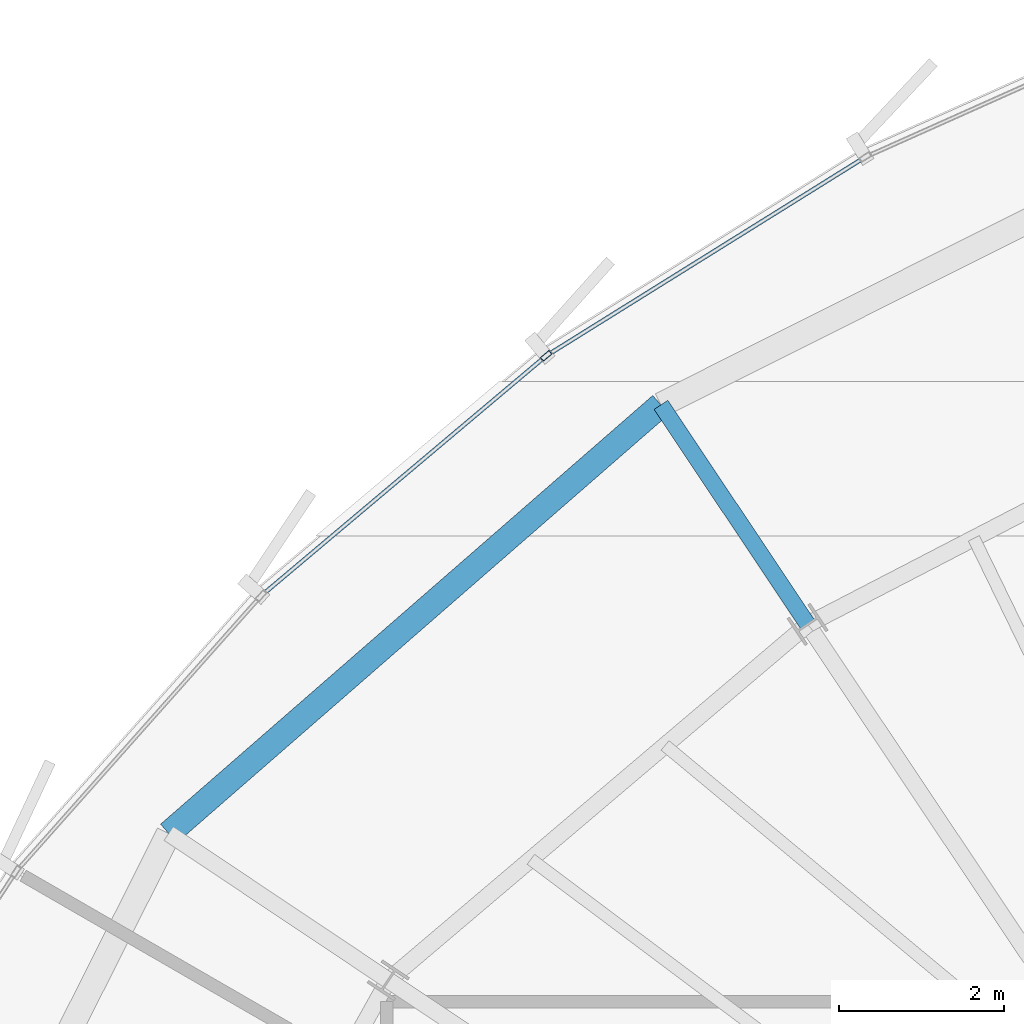
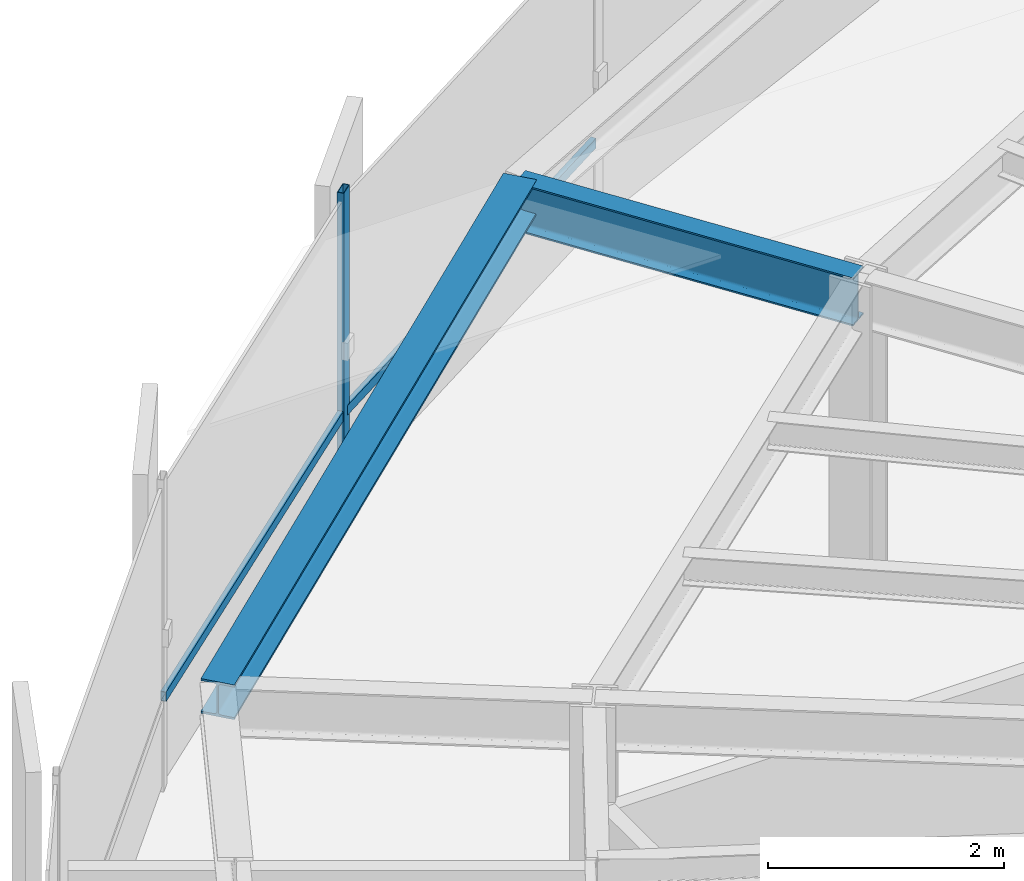
# One storey, part 21 of 35: 3 members, 2 beams, 1 element without a shape of its own.
"""IFC4 building model written with IfcOpenShell, lengths in metres."""

from ifc_helpers import new_model, si_unit, direction, frame, origin, origin_2d, place, context, subcontext, project, spatial, hollow_rectangle, i_section, extrude, source, transform, mapped, material, layer, layer_set, material_profile, profile_set, type_object, element, aggregate, save


model = new_model("IFC4")

# Units and contexts
model_context = context("Model", 3, precision=1e-05, world=origin(), true_north=direction((0.0, 1.0)))
body_context = subcontext(model_context, "Body", "Model", "MODEL_VIEW")
ifc_project = project(units=[si_unit("LENGTHUNIT", "METRE"), si_unit("AREAUNIT", "SQUARE_METRE"), si_unit("VOLUMEUNIT", "CUBIC_METRE"), si_unit("PLANEANGLEUNIT", "RADIAN"), si_unit("MASSUNIT", "GRAM", prefix="KILO"), si_unit("THERMODYNAMICTEMPERATUREUNIT", "KELVIN")], contexts=[model_context])

# Site, building, storey
site_placement = place(None, origin())
site = spatial("IfcSite", under=ifc_project, at=site_placement, CompositionType="ELEMENT")
building_placement = place(site_placement, origin())
building = spatial("IfcBuilding", under=site, at=building_placement, Name="Kethvar Cultural Tower", CompositionType="ELEMENT")
storey_placement = place(building_placement, frame((0.0, 0.0, 179.89990234375)))
storey = spatial("IfcBuildingStorey", under=building, at=storey_placement, Name="L46", CompositionType="ELEMENT", Elevation=179.89990234375)

# Beams
ifc_material_1 = material(Name="Steel S355J2", Category="steel")
ifc_material_profile_1 = material_profile(ifc_material_1, i_section(OverallWidth=0.199951171875, OverallDepth=0.5, WebThickness=0.01025390625, FlangeThickness=0.01611328125, FilletRadius=0.02099609375, at=origin_2d()), Name="Steel S355J2 — IPE500")
ifc_profile_set_1 = profile_set([ifc_material_profile_1], Name="Steel S355J2 — IPE500")
beam_type_1 = type_object("IfcBeamType", Name="BM-IPE500", PredefinedType="BEAM", material=ifc_profile_set_1)
shared_shape_1 = source(origin(), body_context, "Body", "SweptSolid", [
    extrude(i_section(OverallWidth=0.199951171875, OverallDepth=0.5, WebThickness=0.01025390625, FlangeThickness=0.01611328125, FilletRadius=0.02099609375, at=origin_2d()), origin(), (0.0, 0.0, 1.0), 3.199951171875),
])
beam_1_placement = place(storey_placement, frame((37.498779296875, 41.720458984375, 3.008056640625), z_axis=(-0.555580212716, 0.831462943996, 0.0), x_axis=(-0.831462943996, -0.555580212716, 0.0)))
element("IfcBeam", 1, at=beam_1_placement, inside=storey, type_object=beam_type_1, Name="L46 Perimeter Cantilever Beam RC-06", PredefinedType="BEAM", context=body_context, shape_type="MappedRepresentation", body=[
    mapped(shared_shape_1, transform((0.0, 0.0, 0.0), scale=1.0)),
])
ifc_material_profile_2 = material_profile(ifc_material_1, i_section(OverallWidth=0.300048828125, OverallDepth=0.360107421875, WebThickness=0.012451171875, FlangeThickness=0.0224609375, FilletRadius=0.027099609375, at=origin_2d()), Name="Steel S355J2 — HEB360")
ifc_profile_set_2 = profile_set([ifc_material_profile_2], Name="Steel S355J2 — HEB360")
beam_type_2 = type_object("IfcBeamType", Name="BM-SP360", PredefinedType="SPANDREL", material=ifc_profile_set_2)
shared_shape_2 = source(origin(), body_context, "Body", "SweptSolid", [
    extrude(i_section(OverallWidth=0.300048828125, OverallDepth=0.360107421875, WebThickness=0.012451171875, FlangeThickness=0.0224609375, FilletRadius=0.027099609375, at=origin_2d()), origin(), (0.0, 0.0, 1.0), 7.908203125),
])
beam_2_placement = place(storey_placement, frame((35.720947265625, 44.381103515625, 3.078125), z_axis=(-0.754085541675, -0.656776214427, 0.0), x_axis=(0.656776214427, -0.754085541675, 0.0)))
element("IfcBeam", 2, at=beam_2_placement, inside=storey, type_object=beam_type_2, Name="L46 Perimeter Spandrel Beam SP-06", PredefinedType="SPANDREL", context=body_context, shape_type="MappedRepresentation", body=[
    mapped(shared_shape_2, transform((0.0, 0.0, 0.0), scale=1.0)),
])

# Curtain wall, members
ifc_material_2 = material(Name="Aluminium 6063-T6", Category="aluminium")
ifc_layer = layer(ifc_material_2, 0.179931640625, Name="Aluminium 6063-T6", Category="aluminium")
ifc_layer_set = layer_set([ifc_layer], Name="Aluminium 6063-T6 (180 mm)")
curtain_wall_type = type_object("IfcCurtainWallType", Name="CW-SYS-04-Z34", PredefinedType="NOTDEFINED", material=ifc_layer_set)
curtain_wall_placement = place(storey_placement, origin())
curtain_wall = element("IfcCurtainWall", 3, at=curtain_wall_placement, inside=storey, type_object=curtain_wall_type, Name="L46 Curtain Wall Run 02", PredefinedType="NOTDEFINED")
ifc_material_profile_3 = material_profile(ifc_material_2, hollow_rectangle(XDim=0.06005859375, YDim=0.139892578125, WallThickness=0.0048828125, at=origin_2d()), Name="Aluminium 6063-T6 — RHS140x60x5")
ifc_profile_set_3 = profile_set([ifc_material_profile_3], Name="Aluminium 6063-T6 — RHS140x60x5")
member_type_1 = type_object("IfcMemberType", Name="CW-SYS-04-Z34-MUL", PredefinedType="MULLION", material=ifc_profile_set_3)
shared_shape_3 = source(origin(), body_context, "Body", "SweptSolid", [
    extrude(hollow_rectangle(XDim=0.06005859375, YDim=0.139892578125, WallThickness=0.0048828125, at=origin_2d()), origin(), (0.0, 0.0, 1.0), 3.260009765625),
])
member_1_placement = place(storey_placement, frame((34.331298828125, 44.975341796875, 0.0), z_axis=(0.0, 0.0, 1.0), x_axis=(0.644163680069, -0.764887673636, 0.0)))
member_1 = element("IfcMember", 4, at=member_1_placement, type_object=member_type_1, Name="CW-L46-R02 Mullion 4", PredefinedType="MULLION", context=body_context, shape_type="MappedRepresentation", body=[
    mapped(shared_shape_3, transform((0.0, 0.0, 0.0), scale=1.0)),
])
ifc_material_profile_4 = material_profile(ifc_material_2, hollow_rectangle(XDim=0.050048828125, YDim=0.10009765625, WallThickness=0.00390625, at=origin_2d()), Name="Aluminium 6063-T6 — RHS100x50x4")
ifc_profile_set_4 = profile_set([ifc_material_profile_4], Name="Aluminium 6063-T6 — RHS100x50x4")
member_type_2 = type_object("IfcMemberType", Name="CW-SYS-04-Z34-TRN", PredefinedType="USERDEFINED", material=ifc_profile_set_4)
shared_shape_4 = source(origin(), body_context, "Body", "SweptSolid", [
    extrude(hollow_rectangle(XDim=0.050048828125, YDim=0.10009765625, WallThickness=0.00390625, at=origin_2d()), origin(), (0.0, 0.0, 1.0), 4.484375),
])
member_2_placement = place(storey_placement, frame((38.160888671875, 47.36083984375, 0.9501953125), z_axis=(-0.848685751948, -0.528897432817, 0.0), x_axis=(0.528897432817, -0.848685751948, 0.0)))
member_2 = element("IfcMember", 5, at=member_2_placement, type_object=member_type_2, Name="CW-L46-R02 Transom 3", ObjectType="TRANSOM", PredefinedType="USERDEFINED", context=body_context, shape_type="MappedRepresentation", body=[
    mapped(shared_shape_4, transform((0.0, 0.0, 0.0), scale=1.0)),
])
shared_shape_5 = source(origin(), body_context, "Body", "SweptSolid", [
    extrude(hollow_rectangle(XDim=0.050048828125, YDim=0.10009765625, WallThickness=0.00390625, at=origin_2d()), origin(), (0.0, 0.0, 1.0), 4.4443359375),
])
member_3_placement = place(storey_placement, frame((34.298095703125, 44.947509765625, 0.9501953125), z_axis=(-0.76489695256, -0.644152662002, 0.0), x_axis=(0.644152662002, -0.76489695256, 0.0)))
member_3 = element("IfcMember", 6, at=member_3_placement, type_object=member_type_2, Name="CW-L46-R02 Transom 4", ObjectType="TRANSOM", PredefinedType="USERDEFINED", context=body_context, shape_type="MappedRepresentation", body=[
    mapped(shared_shape_5, transform((0.0, 0.0, 0.0), scale=1.0)),
])
aggregate(curtain_wall, [member_1, member_2, member_3])

save(model, "model.ifc")
